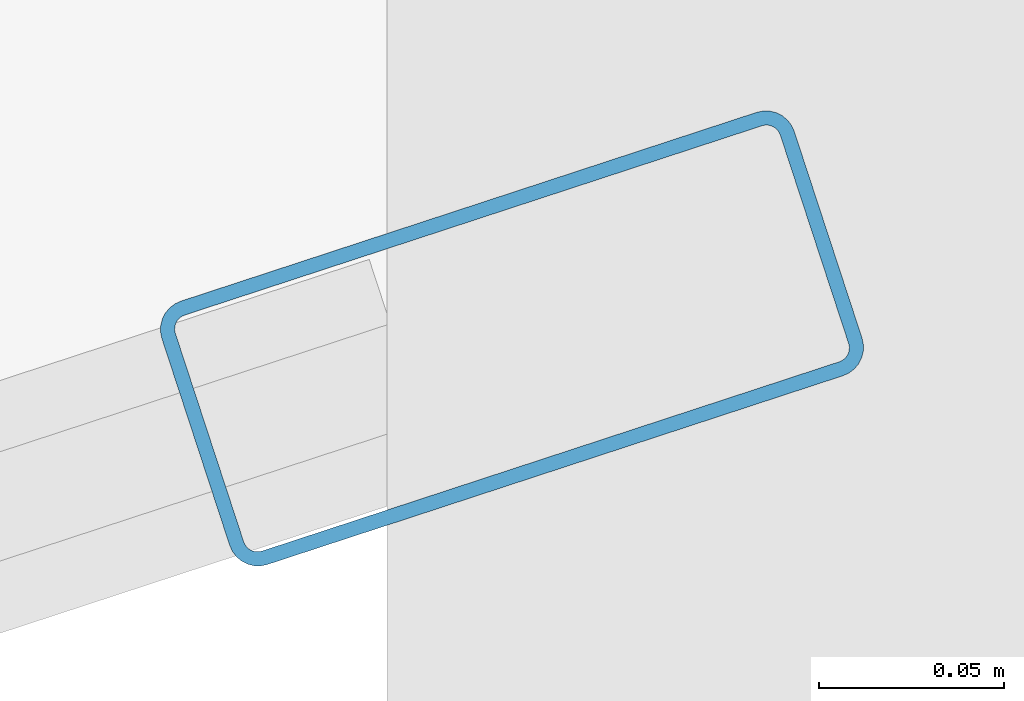
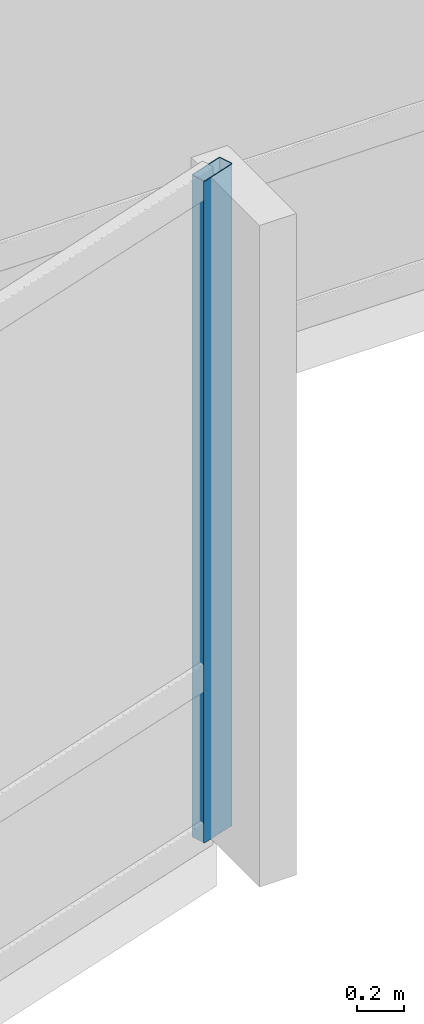
# One storey, part 10 of 34: 1 member, 1 element without a shape of its own.
"""IFC4 building model written with IfcOpenShell, lengths in metres."""

from ifc_helpers import new_model, si_unit, direction, frame, origin, origin_2d, place, context, subcontext, project, spatial, hollow_rectangle, extrude, material, layer, layer_set, material_profile, profile_set, type_object, element, aggregate, save


model = new_model("IFC4")

# Units and contexts
model_context = context("Model", 3, precision=1e-05, world=origin(), true_north=direction((0.0, 1.0)))
body_context = subcontext(model_context, "Body", "Model", "MODEL_VIEW")
ifc_project = project(units=[si_unit("LENGTHUNIT", "METRE"), si_unit("AREAUNIT", "SQUARE_METRE"), si_unit("VOLUMEUNIT", "CUBIC_METRE"), si_unit("PLANEANGLEUNIT", "RADIAN"), si_unit("MASSUNIT", "GRAM", prefix="KILO")], contexts=[model_context])

# Site, building, storey
site_placement = place(None, origin())
site = spatial("IfcSite", under=ifc_project, at=site_placement, CompositionType="ELEMENT")
building_placement = place(site_placement, origin())
building = spatial("IfcBuilding", under=site, at=building_placement, Name="Solvaryn Broadcast Tower", CompositionType="ELEMENT")
storey_placement = place(building_placement, frame((0.0, 0.0, 58.199951171875)))
storey = spatial("IfcBuildingStorey", under=building, at=storey_placement, Name="L13", CompositionType="ELEMENT", Elevation=58.199951171875)

# Curtain wall, member
ifc_material_1 = material(Name="Aluminium and Terracotta Unitised Curtain Wall", Category="masonry")
ifc_layer = layer(ifc_material_1, 0.199951171875)
ifc_layer_set = layer_set([ifc_layer], Name="CW-SYS2-LOWMID")
curtain_wall_type = type_object("IfcCurtainWallType", Name="CW-SYS2-LOWMID", PredefinedType="NOTDEFINED", material=ifc_layer_set)
curtain_wall_placement = place(storey_placement, origin())
curtain_wall = element("IfcCurtainWall", 1, at=curtain_wall_placement, inside=storey, type_object=curtain_wall_type, Name="L13 Curtain Wall DR4", PredefinedType="NOTDEFINED")
ifc_material_2 = material(Name="Anodised Aluminium 6063-T6", Category="aluminium")
ifc_material_profile = material_profile(ifc_material_2, hollow_rectangle(XDim=0.074951171875, YDim=0.179931640625, WallThickness=0.00390625, InnerFilletRadius=0.00390625, OuterFilletRadius=0.008056640625, at=origin_2d()))
ifc_profile_set = profile_set([ifc_material_profile], Name="Anodised Aluminium 6063-T6")
member_type = type_object("IfcMemberType", Name="CW-MUL-180", PredefinedType="MULLION", material=ifc_profile_set)
member_placement = place(storey_placement, frame((45.987548828125, 5.90673828125, 0.0), z_axis=(0.0, 0.0, 1.0), x_axis=(-0.311594044587, 0.950215318429, 0.0)))
member = element("IfcMember", 2, at=member_placement, type_object=member_type, Name="CWS2 mullion 2", PredefinedType="MULLION", context=body_context, shape_type="SweptSolid", body=[
    extrude(hollow_rectangle(XDim=0.074951171875, YDim=0.179931640625, WallThickness=0.00390625, InnerFilletRadius=0.00390625, OuterFilletRadius=0.008056640625, at=origin_2d()), origin(), (0.0, 0.0, 1.0), 3.420166015625),
])
aggregate(curtain_wall, [member])

save(model, "model.ifc")
